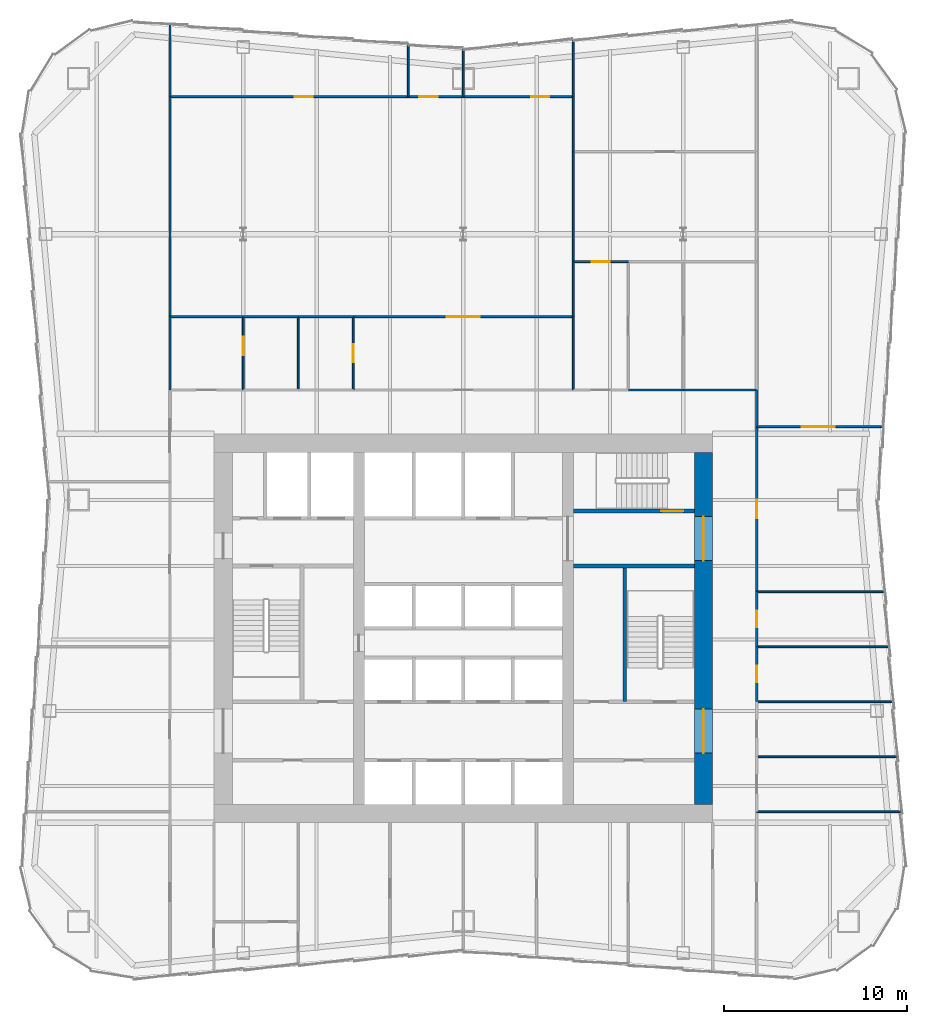
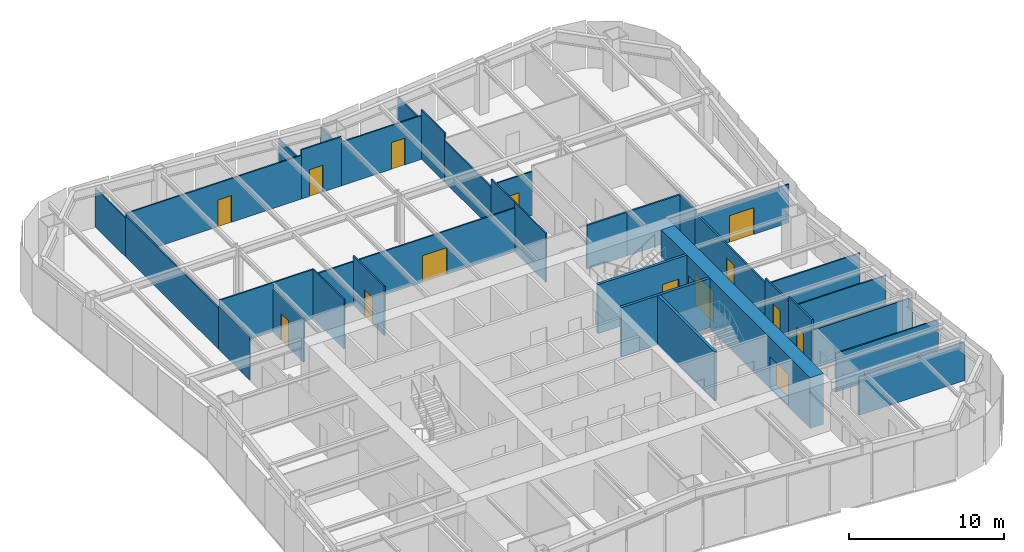
# One storey, part 6 of 8: 37 walls, 14 doors, 14 openings.
"""IFC4 building model written with IfcOpenShell, lengths in metres."""

from ifc_helpers import new_model, si_unit, direction, frame, frame_2d, origin, place, context, subcontext, project, spatial, rectangle, extrude, material, layer, layer_set, type_object, element, fill, save


model = new_model("IFC4")

# Units and contexts
model_context = context("Model", 3, precision=1e-05, world=origin(), true_north=direction((0.0, 1.0)))
body_context = subcontext(model_context, "Body", "Model", "MODEL_VIEW")
ifc_project = project(units=[si_unit("LENGTHUNIT", "METRE"), si_unit("AREAUNIT", "SQUARE_METRE"), si_unit("VOLUMEUNIT", "CUBIC_METRE"), si_unit("PLANEANGLEUNIT", "RADIAN"), si_unit("MASSUNIT", "GRAM", prefix="KILO")], contexts=[model_context])

# Site, building, storey
site_placement = place(None, origin())
site = spatial("IfcSite", under=ifc_project, at=site_placement, CompositionType="ELEMENT")
building_placement = place(site_placement, origin())
building = spatial("IfcBuilding", under=site, at=building_placement, Name="Verdant Reach Tower", CompositionType="ELEMENT")
storey_placement = place(building_placement, frame((0.0, 0.0, 158.0)))
storey = spatial("IfcBuildingStorey", under=building, at=storey_placement, Name="L36", CompositionType="ELEMENT", Elevation=158.0)

# Wall
ifc_material_1 = material(Name="Concrete C40/50", Category="concrete")
ifc_layer_1 = layer(ifc_material_1, 0.199951171875)
ifc_layer_set_1 = layer_set([ifc_layer_1], Name="CO-WALL-STAIR")
wall_type_1 = type_object("IfcWallType", Name="CO-WALL-STAIR", PredefinedType="PARTITIONING", material=ifc_layer_set_1)
wall_1_placement = place(storey_placement, frame((6.0, 31.39990234375, 0.0), z_axis=(0.0, 0.0, 1.0), x_axis=(1.0, 0.0, 0.0)))
element("IfcWall", 1, at=wall_1_placement, inside=storey, type_object=wall_type_1, Name="Stair enclosure wall, L36", PredefinedType="PARTITIONING", context=body_context, shape_type="SweptSolid", body=[
    extrude(rectangle(XDim=6.60009765625, YDim=0.199951171875, at=frame_2d((3.300048828125, 0.0))), origin(), (0.0, 0.0, 1.0), 3.8701171875),
])

# Wall, opening, door
wall_2_placement = place(storey_placement, frame((6.0, 34.39990234375, 0.0), z_axis=(0.0, 0.0, 1.0), x_axis=(1.0, 0.0, 0.0)))
wall_2 = element("IfcWall", 2, at=wall_2_placement, inside=storey, type_object=wall_type_1, Name="Stair enclosure wall, L36", PredefinedType="PARTITIONING", context=body_context, shape_type="SweptSolid", body=[
    extrude(rectangle(XDim=6.60009765625, YDim=0.199951171875, at=frame_2d((3.300048828125, 0.0))), origin(), (0.0, 0.0, 1.0), 3.8701171875),
])
opening_1_placement = place(wall_2_placement, frame((4.800048828125, 0.0, 0.0)))
opening_1 = element("IfcOpeningElement", 3, at=opening_1_placement, cuts=wall_2, Name="Opening SD", PredefinedType="OPENING", context=body_context, shape_type="SweptSolid", body=[
    extrude(rectangle(XDim=1.199951171875, YDim=2.199951171875, at=frame_2d((0.60009765625, 1.10009765625))), frame((0.0, 0.10986328125, 0.0), z_axis=(0.0, -1.0, 0.0), x_axis=(1.0, 0.0, 0.0)), (0.0, 0.0, 1.0), 0.219970703125),
])
ifc_material_2 = material(Name="Steel", Category="steel")
door_type_1 = type_object("IfcDoorType", Name="CO-DOOR-STAIR", OperationType="NOTDEFINED", PredefinedType="DOOR", material=ifc_material_2)
door_1_placement = place(opening_1_placement, origin())
door_1 = element("IfcDoor", 4, at=door_1_placement, inside=storey, type_object=door_type_1, Name="Stair door, L36", OperationType="SINGLE_SWING_RIGHT", OverallHeight=2.199951171875, OverallWidth=1.199951171875, PredefinedType="DOOR", context=body_context, shape_type="SweptSolid", body=[
    extrude(rectangle(XDim=1.199951171875, YDim=2.199951171875, at=frame_2d((0.60009765625, 1.10009765625))), frame((0.0, 0.02490234375, 0.0), z_axis=(0.0, -1.0, 0.0), x_axis=(1.0, 0.0, 0.0)), (0.0, 0.0, 1.0), 0.050048828125),
])
fill(opening_1, door_1)

# Walls
wall_3_placement = place(storey_placement, frame((8.800048828125, 24.0, 0.0), z_axis=(0.0, 0.0, 1.0), x_axis=(0.0, 1.0, 0.0)))
element("IfcWall", 5, at=wall_3_placement, inside=storey, type_object=wall_type_1, Name="Stair enclosure wall, L36", PredefinedType="PARTITIONING", context=body_context, shape_type="SweptSolid", body=[
    extrude(rectangle(XDim=7.39990234375, YDim=0.199951171875, at=frame_2d((3.699951171875, 0.0))), origin(), (0.0, 0.0, 1.0), 3.8701171875),
])
ifc_material_3 = material(Name="Gypsum board on steel studs", Category="steel")
ifc_layer_2 = layer(ifc_material_3, 0.10009765625)
ifc_layer_set_2 = layer_set([ifc_layer_2], Name="FL-W1 Partition 100")
wall_type_2 = type_object("IfcWallType", Name="FL-W1 Partition 100", PredefinedType="PARTITIONING", material=ifc_layer_set_2)
wall_4_placement = place(storey_placement, frame((-16.0, 41.0, 0.0), z_axis=(0.0, 0.0, 1.0), x_axis=(0.0, 1.0, 0.0)))
element("IfcWall", 6, at=wall_4_placement, inside=storey, type_object=wall_type_2, Name="Partition 36.25", PredefinedType="PARTITIONING", context=body_context, shape_type="SweptSolid", body=[
    extrude(rectangle(XDim=4.0, YDim=0.10009765625, at=frame_2d((2.0, 0.0))), origin(), (0.0, 0.0, 1.0), 3.43994140625),
])
wall_5_placement = place(storey_placement, frame((-16.0, 45.0, 0.0), z_axis=(0.0, 0.0, 1.0), x_axis=(0.0, 1.0, 0.0)))
element("IfcWall", 7, at=wall_5_placement, inside=storey, type_object=wall_type_2, Name="Partition 36.26", PredefinedType="PARTITIONING", context=body_context, shape_type="SweptSolid", body=[
    extrude(rectangle(XDim=12.0, YDim=0.10009765625, at=frame_2d((6.0, 0.0))), origin(), (0.0, 0.0, 1.0), 3.239990234375),
])
wall_6_placement = place(storey_placement, frame((-16.0, 57.0, 0.0), z_axis=(0.0, 0.0, 1.0), x_axis=(0.0, 1.0, 0.0)))
element("IfcWall", 8, at=wall_6_placement, inside=storey, type_object=wall_type_2, Name="Partition 36.27", PredefinedType="PARTITIONING", context=body_context, shape_type="SweptSolid", body=[
    extrude(rectangle(XDim=3.913330078125, YDim=0.10009765625, at=frame_2d((1.95654296875, 0.0))), origin(), (0.0, 0.0, 1.0), 3.0400390625),
])
wall_7_placement = place(storey_placement, frame((23.85498046875, 18.0, 0.0), z_axis=(0.0, 0.0, 1.0), x_axis=(-1.0, 0.0, 0.0)))
element("IfcWall", 9, at=wall_7_placement, inside=storey, type_object=wall_type_2, Name="Partition 36.28", PredefinedType="PARTITIONING", context=body_context, shape_type="SweptSolid", body=[
    extrude(rectangle(XDim=7.85498046875, YDim=0.10009765625, at=frame_2d((3.927490234375, 0.0))), origin(), (0.0, 0.0, 1.0), 3.0400390625),
])
wall_8_placement = place(storey_placement, frame((23.6298828125, 21.0, 0.0), z_axis=(0.0, 0.0, 1.0), x_axis=(-1.0, 0.0, 0.0)))
element("IfcWall", 10, at=wall_8_placement, inside=storey, type_object=wall_type_2, Name="Partition 36.29", PredefinedType="PARTITIONING", context=body_context, shape_type="SweptSolid", body=[
    extrude(rectangle(XDim=7.6298828125, YDim=0.10009765625, at=frame_2d((3.81494140625, 0.0))), origin(), (0.0, 0.0, 1.0), 3.0400390625),
])
wall_9_placement = place(storey_placement, frame((23.405029296875, 24.0, 0.0), z_axis=(0.0, 0.0, 1.0), x_axis=(-1.0, 0.0, 0.0)))
element("IfcWall", 11, at=wall_9_placement, inside=storey, type_object=wall_type_2, Name="Partition 36.30", PredefinedType="PARTITIONING", context=body_context, shape_type="SweptSolid", body=[
    extrude(rectangle(XDim=7.405029296875, YDim=0.10009765625, at=frame_2d((3.70263671875, 0.0))), origin(), (0.0, 0.0, 1.0), 3.0400390625),
])
wall_10_placement = place(storey_placement, frame((23.179931640625, 27.0, 0.0), z_axis=(0.0, 0.0, 1.0), x_axis=(-1.0, 0.0, 0.0)))
element("IfcWall", 12, at=wall_10_placement, inside=storey, type_object=wall_type_2, Name="Partition 36.31", PredefinedType="PARTITIONING", context=body_context, shape_type="SweptSolid", body=[
    extrude(rectangle(XDim=7.179931640625, YDim=0.10009765625, at=frame_2d((3.58984375, 0.0))), origin(), (0.0, 0.0, 1.0), 3.0400390625),
])
wall_11_placement = place(storey_placement, frame((22.955078125, 30.0, 0.0), z_axis=(0.0, 0.0, 1.0), x_axis=(-1.0, 0.0, 0.0)))
element("IfcWall", 13, at=wall_11_placement, inside=storey, type_object=wall_type_2, Name="Partition 36.32", PredefinedType="PARTITIONING", context=body_context, shape_type="SweptSolid", body=[
    extrude(rectangle(XDim=6.955078125, YDim=0.10009765625, at=frame_2d((3.4775390625, 0.0))), origin(), (0.0, 0.0, 1.0), 3.0400390625),
])

# Wall, opening, door
wall_12_placement = place(storey_placement, frame((16.0, 39.0, 0.0), z_axis=(0.0, 0.0, 1.0), x_axis=(1.0, 0.0, 0.0)))
wall_12 = element("IfcWall", 14, at=wall_12_placement, inside=storey, type_object=wall_type_2, Name="Partition 36.33", PredefinedType="PARTITIONING", context=body_context, shape_type="SweptSolid", body=[
    extrude(rectangle(XDim=6.8798828125, YDim=0.10009765625, at=frame_2d((3.43994140625, 0.0))), origin(), (0.0, 0.0, 1.0), 3.0400390625),
])
opening_2_placement = place(wall_12_placement, frame((2.474853515625, 0.0, 0.0)))
opening_2 = element("IfcOpeningElement", 15, at=opening_2_placement, cuts=wall_12, Name="Opening D5", PredefinedType="OPENING", context=body_context, shape_type="SweptSolid", body=[
    extrude(rectangle(XDim=1.800048828125, YDim=2.10009765625, at=frame_2d((0.89990234375, 1.050048828125))), frame((0.0, 0.06005859375, 0.0), z_axis=(0.0, -1.0, 0.0), x_axis=(1.0, 0.0, 0.0)), (0.0, 0.0, 1.0), 0.1201171875),
])
ifc_material_4 = material(Name="Painted timber door leaves", Category="wood")
door_type_2 = type_object("IfcDoorType", Name="FL-D5 Double door 1800x2100", OperationType="DOUBLE_DOOR_SINGLE_SWING", PredefinedType="DOOR", material=ifc_material_4)
door_2_placement = place(opening_2_placement, origin())
door_2 = element("IfcDoor", 16, at=door_2_placement, inside=storey, type_object=door_type_2, Name="Door 36-016", OperationType="DOUBLE_DOOR_SINGLE_SWING", OverallHeight=2.10009765625, OverallWidth=1.800048828125, PredefinedType="DOOR", context=body_context, shape_type="SweptSolid", body=[
    extrude(rectangle(XDim=1.800048828125, YDim=2.10009765625, at=frame_2d((0.89990234375, 1.050048828125))), frame((0.0, 0.02490234375, 0.0), z_axis=(0.0, -1.0, 0.0), x_axis=(1.0, 0.0, 0.0)), (0.0, 0.0, 1.0), 0.050048828125),
])
fill(opening_2, door_2)

wall_13_placement = place(storey_placement, frame((-12.0, 45.0, 0.0), z_axis=(0.0, 0.0, 1.0), x_axis=(0.0, -1.0, 0.0)))
wall_13 = element("IfcWall", 17, at=wall_13_placement, inside=storey, type_object=wall_type_2, Name="Partition 36.44", PredefinedType="PARTITIONING", context=body_context, shape_type="SweptSolid", body=[
    extrude(rectangle(XDim=4.0, YDim=0.10009765625, at=frame_2d((2.0, 0.0))), origin(), (0.0, 0.0, 1.0), 3.43994140625),
])
opening_3_placement = place(wall_13_placement, frame((1.10009765625, 0.0, 0.0)))
opening_3 = element("IfcOpeningElement", 18, at=opening_3_placement, cuts=wall_13, Name="Opening D3", PredefinedType="OPENING", context=body_context, shape_type="SweptSolid", body=[
    extrude(rectangle(XDim=1.0, YDim=2.10009765625, at=frame_2d((0.5, 1.050048828125))), frame((0.0, 0.06005859375, 0.0), z_axis=(0.0, -1.0, 0.0), x_axis=(1.0, 0.0, 0.0)), (0.0, 0.0, 1.0), 0.1201171875),
])
ifc_material_5 = material(Name="Painted timber door leaf", Category="wood")
door_type_3 = type_object("IfcDoorType", Name="FL-D3 Door 1000x2100", OperationType="NOTDEFINED", PredefinedType="DOOR", material=ifc_material_5)
door_3_placement = place(opening_3_placement, origin())
door_3 = element("IfcDoor", 19, at=door_3_placement, inside=storey, type_object=door_type_3, Name="Door 36-022", OperationType="SINGLE_SWING_LEFT", OverallHeight=2.10009765625, OverallWidth=1.0, PredefinedType="DOOR", context=body_context, shape_type="SweptSolid", body=[
    extrude(rectangle(XDim=1.0, YDim=2.10009765625, at=frame_2d((0.5, 1.050048828125))), frame((0.0, 0.02490234375, 0.0), z_axis=(0.0, -1.0, 0.0), x_axis=(1.0, 0.0, 0.0)), (0.0, 0.0, 1.0), 0.050048828125),
])
fill(opening_3, door_3)

# Walls
wall_14_placement = place(storey_placement, frame((-11.99609375, 45.0, 0.0), z_axis=(0.0, 0.0, 1.0), x_axis=(-1.0, 0.0, 0.0)))
element("IfcWall", 20, at=wall_14_placement, inside=storey, type_object=wall_type_2, Name="Partition 36.45", PredefinedType="PARTITIONING", context=body_context, shape_type="SweptSolid", body=[
    extrude(rectangle(XDim=4.00390625, YDim=0.10009765625, at=frame_2d((2.001953125, 0.0))), origin(), (0.0, 0.0, 1.0), 3.8701171875),
])
wall_15_placement = place(storey_placement, frame((-9.0, 41.0, 0.0), z_axis=(0.0, 0.0, 1.0), x_axis=(0.0, 1.0, 0.0)))
element("IfcWall", 21, at=wall_15_placement, inside=storey, type_object=wall_type_2, Name="Partition 36.46", PredefinedType="PARTITIONING", context=body_context, shape_type="SweptSolid", body=[
    extrude(rectangle(XDim=4.0, YDim=0.10009765625, at=frame_2d((2.0, 0.0))), origin(), (0.0, 0.0, 1.0), 3.8701171875),
])
wall_16_placement = place(storey_placement, frame((-8.99609375, 45.0, 0.0), z_axis=(0.0, 0.0, 1.0), x_axis=(-1.0, 0.0, 0.0)))
element("IfcWall", 22, at=wall_16_placement, inside=storey, type_object=wall_type_2, Name="Partition 36.47", PredefinedType="PARTITIONING", context=body_context, shape_type="SweptSolid", body=[
    extrude(rectangle(XDim=3.0078125, YDim=0.10009765625, at=frame_2d((1.50390625, 0.0))), origin(), (0.0, 0.0, 1.0), 3.8701171875),
])

# Wall, opening, door
wall_17_placement = place(storey_placement, frame((-6.0, 41.0, 0.0), z_axis=(0.0, 0.0, 1.0), x_axis=(0.0, 1.0, 0.0)))
wall_17 = element("IfcWall", 23, at=wall_17_placement, inside=storey, type_object=wall_type_2, Name="Partition 36.48", PredefinedType="PARTITIONING", context=body_context, shape_type="SweptSolid", body=[
    extrude(rectangle(XDim=4.0, YDim=0.10009765625, at=frame_2d((2.0, 0.0))), origin(), (0.0, 0.0, 1.0), 3.8701171875),
])
opening_4_placement = place(wall_17_placement, frame((1.5, 0.0, 0.0)))
opening_4 = element("IfcOpeningElement", 24, at=opening_4_placement, cuts=wall_17, Name="Opening D3", PredefinedType="OPENING", context=body_context, shape_type="SweptSolid", body=[
    extrude(rectangle(XDim=1.0, YDim=2.10009765625, at=frame_2d((0.5, 1.050048828125))), frame((0.0, 0.06005859375, 0.0), z_axis=(0.0, -1.0, 0.0), x_axis=(1.0, 0.0, 0.0)), (0.0, 0.0, 1.0), 0.1201171875),
])
door_4_placement = place(opening_4_placement, origin())
door_4 = element("IfcDoor", 25, at=door_4_placement, inside=storey, type_object=door_type_3, Name="Door 36-023", OperationType="SINGLE_SWING_LEFT", OverallHeight=2.10009765625, OverallWidth=1.0, PredefinedType="DOOR", context=body_context, shape_type="SweptSolid", body=[
    extrude(rectangle(XDim=1.0, YDim=2.10009765625, at=frame_2d((0.5, 1.050048828125))), frame((0.0, 0.02490234375, 0.0), z_axis=(0.0, -1.0, 0.0), x_axis=(1.0, 0.0, 0.0)), (0.0, 0.0, 1.0), 0.050048828125),
])
fill(opening_4, door_4)

# Wall
wall_18_placement = place(storey_placement, frame((-5.99609375, 45.0, 0.0), z_axis=(0.0, 0.0, 1.0), x_axis=(-1.0, 0.0, 0.0)))
element("IfcWall", 26, at=wall_18_placement, inside=storey, type_object=wall_type_2, Name="Partition 36.49", PredefinedType="PARTITIONING", context=body_context, shape_type="SweptSolid", body=[
    extrude(rectangle(XDim=3.0078125, YDim=0.10009765625, at=frame_2d((1.50390625, 0.0))), origin(), (0.0, 0.0, 1.0), 3.43994140625),
])

# Wall, opening, door
wall_19_placement = place(storey_placement, frame((-6.00390625, 45.0, 0.0), z_axis=(0.0, 0.0, 1.0), x_axis=(1.0, 0.0, 0.0)))
wall_19 = element("IfcWall", 27, at=wall_19_placement, inside=storey, type_object=wall_type_2, Name="Partition 36.50", PredefinedType="PARTITIONING", context=body_context, shape_type="SweptSolid", body=[
    extrude(rectangle(XDim=12.00390625, YDim=0.10009765625, at=frame_2d((6.001953125, 0.0))), origin(), (0.0, 0.0, 1.0), 3.43994140625),
])
opening_5_placement = place(wall_19_placement, frame((5.10205078125, 0.0, 0.0)))
opening_5 = element("IfcOpeningElement", 28, at=opening_5_placement, cuts=wall_19, Name="Opening D5", PredefinedType="OPENING", context=body_context, shape_type="SweptSolid", body=[
    extrude(rectangle(XDim=1.800048828125, YDim=2.10009765625, at=frame_2d((0.89990234375, 1.050048828125))), frame((0.0, 0.06005859375, 0.0), z_axis=(0.0, -1.0, 0.0), x_axis=(1.0, 0.0, 0.0)), (0.0, 0.0, 1.0), 0.1201171875),
])
door_5_placement = place(opening_5_placement, origin())
door_5 = element("IfcDoor", 29, at=door_5_placement, inside=storey, type_object=door_type_2, Name="Door 36-024", OperationType="DOUBLE_DOOR_SINGLE_SWING", OverallHeight=2.10009765625, OverallWidth=1.800048828125, PredefinedType="DOOR", context=body_context, shape_type="SweptSolid", body=[
    extrude(rectangle(XDim=1.800048828125, YDim=2.10009765625, at=frame_2d((0.89990234375, 1.050048828125))), frame((0.0, 0.02490234375, 0.0), z_axis=(0.0, -1.0, 0.0), x_axis=(1.0, 0.0, 0.0)), (0.0, 0.0, 1.0), 0.050048828125),
])
fill(opening_5, door_5)

# Wall
wall_20_placement = place(storey_placement, frame((6.0, 41.0, 0.0), z_axis=(0.0, 0.0, 1.0), x_axis=(0.0, 1.0, 0.0)))
element("IfcWall", 30, at=wall_20_placement, inside=storey, type_object=wall_type_2, Name="Partition 36.51", PredefinedType="PARTITIONING", context=body_context, shape_type="SweptSolid", body=[
    extrude(rectangle(XDim=4.00390625, YDim=0.10009765625, at=frame_2d((2.001953125, 0.0))), origin(), (0.0, 0.0, 1.0), 3.8701171875),
])

# Wall, opening, door
wall_21_placement = place(storey_placement, frame((-16.0, 57.0, 0.0), z_axis=(0.0, 0.0, 1.0), x_axis=(1.0, 0.0, 0.0)))
wall_21 = element("IfcWall", 31, at=wall_21_placement, inside=storey, type_object=wall_type_2, Name="Partition 36.52", PredefinedType="PARTITIONING", context=body_context, shape_type="SweptSolid", body=[
    extrude(rectangle(XDim=13.0, YDim=0.10009765625, at=frame_2d((6.5, 0.0))), origin(), (0.0, 0.0, 1.0), 3.43994140625),
])
opening_6_placement = place(wall_21_placement, frame((6.800048828125, 0.0, 0.0)))
opening_6 = element("IfcOpeningElement", 32, at=opening_6_placement, cuts=wall_21, Name="Opening D3", PredefinedType="OPENING", context=body_context, shape_type="SweptSolid", body=[
    extrude(rectangle(XDim=1.0, YDim=2.10009765625, at=frame_2d((0.5, 1.050048828125))), frame((0.0, 0.06005859375, 0.0), z_axis=(0.0, -1.0, 0.0), x_axis=(1.0, 0.0, 0.0)), (0.0, 0.0, 1.0), 0.1201171875),
])
door_6_placement = place(opening_6_placement, origin())
door_6 = element("IfcDoor", 33, at=door_6_placement, inside=storey, type_object=door_type_3, Name="Door 36-025", OperationType="SINGLE_SWING_RIGHT", OverallHeight=2.10009765625, OverallWidth=1.0, PredefinedType="DOOR", context=body_context, shape_type="SweptSolid", body=[
    extrude(rectangle(XDim=1.0, YDim=2.10009765625, at=frame_2d((0.5, 1.050048828125))), frame((0.0, 0.02490234375, 0.0), z_axis=(0.0, -1.0, 0.0), x_axis=(1.0, 0.0, 0.0)), (0.0, 0.0, 1.0), 0.050048828125),
])
fill(opening_6, door_6)

wall_22_placement = place(storey_placement, frame((-3.0, 57.0, 0.0), z_axis=(0.0, 0.0, 1.0), x_axis=(1.0, 0.0, 0.0)))
wall_22 = element("IfcWall", 34, at=wall_22_placement, inside=storey, type_object=wall_type_2, Name="Partition 36.53", PredefinedType="PARTITIONING", context=body_context, shape_type="SweptSolid", body=[
    extrude(rectangle(XDim=3.0, YDim=0.10009765625, at=frame_2d((1.5, 0.0))), origin(), (0.0, 0.0, 1.0), 3.8701171875),
])
opening_7_placement = place(wall_22_placement, frame((0.60009765625, 0.0, 0.0)))
opening_7 = element("IfcOpeningElement", 35, at=opening_7_placement, cuts=wall_22, Name="Opening D3", PredefinedType="OPENING", context=body_context, shape_type="SweptSolid", body=[
    extrude(rectangle(XDim=1.0, YDim=2.10009765625, at=frame_2d((0.5, 1.050048828125))), frame((0.0, 0.06005859375, 0.0), z_axis=(0.0, -1.0, 0.0), x_axis=(1.0, 0.0, 0.0)), (0.0, 0.0, 1.0), 0.1201171875),
])
door_7_placement = place(opening_7_placement, origin())
door_7 = element("IfcDoor", 36, at=door_7_placement, inside=storey, type_object=door_type_3, Name="Door 36-026", OperationType="SINGLE_SWING_LEFT", OverallHeight=2.10009765625, OverallWidth=1.0, PredefinedType="DOOR", context=body_context, shape_type="SweptSolid", body=[
    extrude(rectangle(XDim=1.0, YDim=2.10009765625, at=frame_2d((0.5, 1.050048828125))), frame((0.0, 0.02490234375, 0.0), z_axis=(0.0, -1.0, 0.0), x_axis=(1.0, 0.0, 0.0)), (0.0, 0.0, 1.0), 0.050048828125),
])
fill(opening_7, door_7)

wall_23_placement = place(storey_placement, frame((0.0, 57.0, 0.0), z_axis=(0.0, 0.0, 1.0), x_axis=(1.0, 0.0, 0.0)))
wall_23 = element("IfcWall", 37, at=wall_23_placement, inside=storey, type_object=wall_type_2, Name="Partition 36.54", PredefinedType="PARTITIONING", context=body_context, shape_type="SweptSolid", body=[
    extrude(rectangle(XDim=6.0, YDim=0.10009765625, at=frame_2d((3.0, 0.0))), origin(), (0.0, 0.0, 1.0), 3.43994140625),
])
opening_8_placement = place(wall_23_placement, frame((3.699951171875, 0.0, 0.0)))
opening_8 = element("IfcOpeningElement", 38, at=opening_8_placement, cuts=wall_23, Name="Opening D3", PredefinedType="OPENING", context=body_context, shape_type="SweptSolid", body=[
    extrude(rectangle(XDim=1.0, YDim=2.10009765625, at=frame_2d((0.5, 1.050048828125))), frame((0.0, 0.06005859375, 0.0), z_axis=(0.0, -1.0, 0.0), x_axis=(1.0, 0.0, 0.0)), (0.0, 0.0, 1.0), 0.1201171875),
])
door_8_placement = place(opening_8_placement, origin())
door_8 = element("IfcDoor", 39, at=door_8_placement, inside=storey, type_object=door_type_3, Name="Door 36-027", OperationType="SINGLE_SWING_RIGHT", OverallHeight=2.10009765625, OverallWidth=1.0, PredefinedType="DOOR", context=body_context, shape_type="SweptSolid", body=[
    extrude(rectangle(XDim=1.0, YDim=2.10009765625, at=frame_2d((0.5, 1.050048828125))), frame((0.0, 0.02490234375, 0.0), z_axis=(0.0, -1.0, 0.0), x_axis=(1.0, 0.0, 0.0)), (0.0, 0.0, 1.0), 0.050048828125),
])
fill(opening_8, door_8)

# Walls
wall_24_placement = place(storey_placement, frame((6.0, 44.99609375, 0.0), z_axis=(0.0, 0.0, 1.0), x_axis=(0.0, 1.0, 0.0)))
element("IfcWall", 40, at=wall_24_placement, inside=storey, type_object=wall_type_2, Name="Partition 36.55", PredefinedType="PARTITIONING", context=body_context, shape_type="SweptSolid", body=[
    extrude(rectangle(XDim=3.00390625, YDim=0.10009765625, at=frame_2d((1.501953125, 0.0))), origin(), (0.0, 0.0, 1.0), 3.8701171875),
])
wall_25_placement = place(storey_placement, frame((6.0, 48.0, 0.0), z_axis=(0.0, 0.0, 1.0), x_axis=(0.0, 1.0, 0.0)))
element("IfcWall", 41, at=wall_25_placement, inside=storey, type_object=wall_type_2, Name="Partition 36.56", PredefinedType="PARTITIONING", context=body_context, shape_type="SweptSolid", body=[
    extrude(rectangle(XDim=6.0, YDim=0.10009765625, at=frame_2d((3.0, 0.0))), origin(), (0.0, 0.0, 1.0), 3.239990234375),
])
wall_26_placement = place(storey_placement, frame((6.0, 54.0, 0.0), z_axis=(0.0, 0.0, 1.0), x_axis=(0.0, 1.0, 0.0)))
element("IfcWall", 42, at=wall_26_placement, inside=storey, type_object=wall_type_2, Name="Partition 36.57", PredefinedType="PARTITIONING", context=body_context, shape_type="SweptSolid", body=[
    extrude(rectangle(XDim=3.00390625, YDim=0.10009765625, at=frame_2d((1.501953125, 0.0))), origin(), (0.0, 0.0, 1.0), 3.8701171875),
])
wall_27_placement = place(storey_placement, frame((-3.0, 57.0, 0.0), z_axis=(0.0, 0.0, 1.0), x_axis=(0.0, 1.0, 0.0)))
element("IfcWall", 43, at=wall_27_placement, inside=storey, type_object=wall_type_2, Name="Partition 36.58", PredefinedType="PARTITIONING", context=body_context, shape_type="SweptSolid", body=[
    extrude(rectangle(XDim=2.830078125, YDim=0.10009765625, at=frame_2d((1.4150390625, 0.0))), origin(), (0.0, 0.0, 1.0), 3.0400390625),
])
wall_28_placement = place(storey_placement, frame((0.0, 57.0, 0.0), z_axis=(0.0, 0.0, 1.0), x_axis=(0.0, 1.0, 0.0)))
element("IfcWall", 44, at=wall_28_placement, inside=storey, type_object=wall_type_2, Name="Partition 36.59", PredefinedType="PARTITIONING", context=body_context, shape_type="SweptSolid", body=[
    extrude(rectangle(XDim=2.580078125, YDim=0.10009765625, at=frame_2d((1.2900390625, 0.0))), origin(), (0.0, 0.0, 1.0), 3.0400390625),
])
wall_29_placement = place(storey_placement, frame((6.0, 56.99609375, 0.0), z_axis=(0.0, 0.0, 1.0), x_axis=(0.0, 1.0, 0.0)))
element("IfcWall", 45, at=wall_29_placement, inside=storey, type_object=wall_type_2, Name="Partition 36.60", PredefinedType="PARTITIONING", context=body_context, shape_type="SweptSolid", body=[
    extrude(rectangle(XDim=3.083984375, YDim=0.10009765625, at=frame_2d((1.5419921875, 0.0))), origin(), (0.0, 0.0, 1.0), 3.0400390625),
])

# Wall, opening, door
wall_30_placement = place(storey_placement, frame((6.0, 48.0, 0.0), z_axis=(0.0, 0.0, 1.0), x_axis=(1.0, 0.0, 0.0)))
wall_30 = element("IfcWall", 46, at=wall_30_placement, inside=storey, type_object=wall_type_2, Name="Partition 36.62", PredefinedType="PARTITIONING", context=body_context, shape_type="SweptSolid", body=[
    extrude(rectangle(XDim=3.00390625, YDim=0.10009765625, at=frame_2d((1.501953125, 0.0))), origin(), (0.0, 0.0, 1.0), 3.43994140625),
])
opening_9_placement = place(wall_30_placement, frame((1.001953125, 0.0, 0.0)))
opening_9 = element("IfcOpeningElement", 47, at=opening_9_placement, cuts=wall_30, Name="Opening D3", PredefinedType="OPENING", context=body_context, shape_type="SweptSolid", body=[
    extrude(rectangle(XDim=1.0, YDim=2.10009765625, at=frame_2d((0.5, 1.050048828125))), frame((0.0, 0.06005859375, 0.0), z_axis=(0.0, -1.0, 0.0), x_axis=(1.0, 0.0, 0.0)), (0.0, 0.0, 1.0), 0.1201171875),
])
door_9_placement = place(opening_9_placement, origin())
door_9 = element("IfcDoor", 48, at=door_9_placement, inside=storey, type_object=door_type_3, Name="Door 36-029", OperationType="SINGLE_SWING_LEFT", OverallHeight=2.10009765625, OverallWidth=1.0, PredefinedType="DOOR", context=body_context, shape_type="SweptSolid", body=[
    extrude(rectangle(XDim=1.0, YDim=2.10009765625, at=frame_2d((0.5, 1.050048828125))), frame((0.0, 0.02490234375, 0.0), z_axis=(0.0, -1.0, 0.0), x_axis=(1.0, 0.0, 0.0)), (0.0, 0.0, 1.0), 0.050048828125),
])
fill(opening_9, door_9)

ifc_material_6 = material(Name="Gypsum board on steel studs, fire rated", Category="steel")
ifc_layer_3 = layer(ifc_material_6, 0.125)
ifc_layer_set_3 = layer_set([ifc_layer_3], Name="FL-W2 Corridor wall 125")
wall_type_3 = type_object("IfcWallType", Name="FL-W2 Corridor wall 125", PredefinedType="PARTITIONING", material=ifc_layer_set_3)
wall_31_placement = place(storey_placement, frame((16.0, 27.0, 0.0), z_axis=(0.0, 0.0, 1.0), x_axis=(0.0, -1.0, 0.0)))
wall_31 = element("IfcWall", 49, at=wall_31_placement, inside=storey, type_object=wall_type_3, Name="Partition 36.08", PredefinedType="PARTITIONING", context=body_context, shape_type="SweptSolid", body=[
    extrude(rectangle(XDim=3.0, YDim=0.125, at=frame_2d((1.5, 0.0))), origin(), (0.0, 0.0, 1.0), 3.8701171875),
])
opening_10_placement = place(wall_31_placement, frame((1.050048828125, 0.0, 0.0)))
opening_10 = element("IfcOpeningElement", 50, at=opening_10_placement, cuts=wall_31, Name="Opening D1", PredefinedType="OPENING", context=body_context, shape_type="SweptSolid", body=[
    extrude(rectangle(XDim=0.89990234375, YDim=2.10009765625, at=frame_2d((0.449951171875, 1.050048828125))), frame((0.0, 0.072509765625, 0.0), z_axis=(0.0, -1.0, 0.0), x_axis=(1.0, 0.0, 0.0)), (0.0, 0.0, 1.0), 0.14501953125),
])
door_type_4 = type_object("IfcDoorType", Name="FL-D1 Door 900x2100", OperationType="NOTDEFINED", PredefinedType="DOOR", material=ifc_material_5)
door_10_placement = place(opening_10_placement, origin())
door_10 = element("IfcDoor", 51, at=door_10_placement, inside=storey, type_object=door_type_4, Name="Door 36-008", OperationType="SINGLE_SWING_RIGHT", OverallHeight=2.10009765625, OverallWidth=0.89990234375, PredefinedType="DOOR", context=body_context, shape_type="SweptSolid", body=[
    extrude(rectangle(XDim=0.89990234375, YDim=2.10009765625, at=frame_2d((0.449951171875, 1.050048828125))), frame((0.0, 0.02490234375, 0.0), z_axis=(0.0, -1.0, 0.0), x_axis=(1.0, 0.0, 0.0)), (0.0, 0.0, 1.0), 0.050048828125),
])
fill(opening_10, door_10)

wall_32_placement = place(storey_placement, frame((16.0, 30.0, 0.0), z_axis=(0.0, 0.0, 1.0), x_axis=(0.0, -1.0, 0.0)))
wall_32 = element("IfcWall", 52, at=wall_32_placement, inside=storey, type_object=wall_type_3, Name="Partition 36.09", PredefinedType="PARTITIONING", context=body_context, shape_type="SweptSolid", body=[
    extrude(rectangle(XDim=3.0, YDim=0.125, at=frame_2d((1.5, 0.0))), origin(), (0.0, 0.0, 1.0), 3.47998046875),
])
opening_11_placement = place(wall_32_placement, frame((1.050048828125, 0.0, 0.0)))
opening_11 = element("IfcOpeningElement", 53, at=opening_11_placement, cuts=wall_32, Name="Opening D1", PredefinedType="OPENING", context=body_context, shape_type="SweptSolid", body=[
    extrude(rectangle(XDim=0.89990234375, YDim=2.10009765625, at=frame_2d((0.449951171875, 1.050048828125))), frame((0.0, 0.072509765625, 0.0), z_axis=(0.0, -1.0, 0.0), x_axis=(1.0, 0.0, 0.0)), (0.0, 0.0, 1.0), 0.14501953125),
])
door_11_placement = place(opening_11_placement, origin())
door_11 = element("IfcDoor", 54, at=door_11_placement, inside=storey, type_object=door_type_4, Name="Door 36-009", OperationType="SINGLE_SWING_LEFT", OverallHeight=2.10009765625, OverallWidth=0.89990234375, PredefinedType="DOOR", context=body_context, shape_type="SweptSolid", body=[
    extrude(rectangle(XDim=0.89990234375, YDim=2.10009765625, at=frame_2d((0.449951171875, 1.050048828125))), frame((0.0, 0.02490234375, 0.0), z_axis=(0.0, -1.0, 0.0), x_axis=(1.0, 0.0, 0.0)), (0.0, 0.0, 1.0), 0.050048828125),
])
fill(opening_11, door_11)

wall_33_placement = place(storey_placement, frame((16.0, 39.0, 0.0), z_axis=(0.0, 0.0, 1.0), x_axis=(0.0, -1.0, 0.0)))
wall_33 = element("IfcWall", 55, at=wall_33_placement, inside=storey, type_object=wall_type_3, Name="Partition 36.10", PredefinedType="PARTITIONING", context=body_context, shape_type="SweptSolid", body=[
    extrude(rectangle(XDim=9.0, YDim=0.125, at=frame_2d((4.5, 0.0))), origin(), (0.0, 0.0, 1.0), 3.139892578125),
])
opening_12_placement = place(wall_33_placement, frame((4.0, 0.0, 0.0)))
opening_12 = element("IfcOpeningElement", 56, at=opening_12_placement, cuts=wall_33, Name="Opening D2", PredefinedType="OPENING", context=body_context, shape_type="SweptSolid", body=[
    extrude(rectangle(XDim=1.0, YDim=2.10009765625, at=frame_2d((0.5, 1.050048828125))), frame((0.0, 0.072509765625, 0.0), z_axis=(0.0, -1.0, 0.0), x_axis=(1.0, 0.0, 0.0)), (0.0, 0.0, 1.0), 0.14501953125),
])
ifc_material_7 = material(Name="Timber door leaf, fire rated", Category="wood")
door_type_5 = type_object("IfcDoorType", Name="FL-D2 Entrance door 1000x2100 FD30", OperationType="NOTDEFINED", PredefinedType="DOOR", material=ifc_material_7)
door_12_placement = place(opening_12_placement, origin())
door_12 = element("IfcDoor", 57, at=door_12_placement, inside=storey, type_object=door_type_5, Name="Door 36-010", OperationType="SINGLE_SWING_RIGHT", OverallHeight=2.10009765625, OverallWidth=1.0, PredefinedType="DOOR", context=body_context, shape_type="SweptSolid", body=[
    extrude(rectangle(XDim=1.0, YDim=2.10009765625, at=frame_2d((0.5, 1.050048828125))), frame((0.0, 0.02490234375, 0.0), z_axis=(0.0, -1.0, 0.0), x_axis=(1.0, 0.0, 0.0)), (0.0, 0.0, 1.0), 0.050048828125),
])
fill(opening_12, door_12)

# Walls
wall_34_placement = place(storey_placement, frame((16.0, 39.0, 0.0), z_axis=(0.0, 0.0, 1.0), x_axis=(0.0, 1.0, 0.0)))
element("IfcWall", 58, at=wall_34_placement, inside=storey, type_object=wall_type_3, Name="Partition 36.11", PredefinedType="PARTITIONING", context=body_context, shape_type="SweptSolid", body=[
    extrude(rectangle(XDim=2.00390625, YDim=0.125, at=frame_2d((1.001953125, 0.0))), origin(), (0.0, 0.0, 1.0), 3.43994140625),
])
wall_35_placement = place(storey_placement, frame((12.0, 41.0, 0.0), z_axis=(0.0, 0.0, 1.0), x_axis=(-1.0, 0.0, 0.0)))
element("IfcWall", 59, at=wall_35_placement, inside=storey, type_object=wall_type_3, Name="Partition 36.20", PredefinedType="PARTITIONING", context=body_context, shape_type="SweptSolid", body=[
    extrude(rectangle(XDim=3.0, YDim=0.125, at=frame_2d((1.5, 0.0))), origin(), (0.0, 0.0, 1.0), 3.43994140625),
])
wall_36_placement = place(storey_placement, frame((16.0, 41.0, 0.0), z_axis=(0.0, 0.0, 1.0), x_axis=(-1.0, 0.0, 0.0)))
element("IfcWall", 60, at=wall_36_placement, inside=storey, type_object=wall_type_3, Name="Partition 36.21", PredefinedType="PARTITIONING", context=body_context, shape_type="SweptSolid", body=[
    extrude(rectangle(XDim=4.0, YDim=0.125, at=frame_2d((2.0, 0.0))), origin(), (0.0, 0.0, 1.0), 3.43994140625),
])

# Wall, openings, doors
ifc_material_8 = material(Name="Concrete C70/85", Category="concrete")
ifc_layer_4 = layer(ifc_material_8, 1.0)
ifc_layer_set_4 = layer_set([ifc_layer_4], Name="ST-CORE-WALL-1000")
wall_type_4 = type_object("IfcWallType", Name="ST-CORE-WALL-1000", PredefinedType="SHEAR", material=ifc_layer_set_4)
wall_37_placement = place(storey_placement, frame((13.10009765625, 18.39990234375, -0.1298828125), z_axis=(0.0, 0.0, 1.0), x_axis=(0.0, 1.0, 0.0)))
wall_37 = element("IfcWall", 61, at=wall_37_placement, inside=storey, type_object=wall_type_4, Name="Core wall E, L36", PredefinedType="SHEAR", context=body_context, shape_type="SweptSolid", body=[
    extrude(rectangle(XDim=19.2001953125, YDim=1.0, at=frame_2d((9.60009765625, 0.0))), origin(), (0.0, 0.0, 1.0), 4.0),
])
opening_13_placement = place(wall_37_placement, frame((2.800048828125, 0.0, 0.1298828125)))
opening_13 = element("IfcOpeningElement", 62, at=opening_13_placement, cuts=wall_37, Name="Opening LB", PredefinedType="OPENING", context=body_context, shape_type="SweptSolid", body=[
    extrude(rectangle(XDim=2.39990234375, YDim=2.39990234375, at=frame_2d((1.199951171875, 1.199951171875))), frame((0.0, 0.510009765625, 0.0), z_axis=(0.0, -1.0, 0.0), x_axis=(1.0, 0.0, 0.0)), (0.0, 0.0, 1.0), 1.02001953125),
])
opening_14_placement = place(wall_37_placement, frame((13.300048828125, 0.0, 0.1298828125)))
opening_14 = element("IfcOpeningElement", 63, at=opening_14_placement, cuts=wall_37, Name="Opening LB", PredefinedType="OPENING", context=body_context, shape_type="SweptSolid", body=[
    extrude(rectangle(XDim=2.39990234375, YDim=2.39990234375, at=frame_2d((1.199951171875, 1.199951171875))), frame((0.0, 0.510009765625, 0.0), z_axis=(0.0, -1.0, 0.0), x_axis=(1.0, 0.0, 0.0)), (0.0, 0.0, 1.0), 1.02001953125),
])
ifc_material_9 = material(Name="Glass and steel", Category="steel")
door_type_6 = type_object("IfcDoorType", Name="CO-DOOR-LOBBY", OperationType="DOUBLE_DOOR_SINGLE_SWING", PredefinedType="DOOR", material=ifc_material_9)
door_13_placement = place(opening_13_placement, origin())
door_13 = element("IfcDoor", 64, at=door_13_placement, inside=storey, type_object=door_type_6, Name="Core entrance door, L36", OperationType="DOUBLE_DOOR_SINGLE_SWING", OverallHeight=2.39990234375, OverallWidth=2.39990234375, PredefinedType="DOOR", context=body_context, shape_type="SweptSolid", body=[
    extrude(rectangle(XDim=2.39990234375, YDim=2.39990234375, at=frame_2d((1.199951171875, 1.199951171875))), frame((0.0, 0.02490234375, 0.0), z_axis=(0.0, -1.0, 0.0), x_axis=(1.0, 0.0, 0.0)), (0.0, 0.0, 1.0), 0.050048828125),
])
fill(opening_13, door_13)
door_14_placement = place(opening_14_placement, origin())
door_14 = element("IfcDoor", 65, at=door_14_placement, inside=storey, type_object=door_type_6, Name="Core entrance door, L36", OperationType="DOUBLE_DOOR_SINGLE_SWING", OverallHeight=2.39990234375, OverallWidth=2.39990234375, PredefinedType="DOOR", context=body_context, shape_type="SweptSolid", body=[
    extrude(rectangle(XDim=2.39990234375, YDim=2.39990234375, at=frame_2d((1.199951171875, 1.199951171875))), frame((0.0, 0.02490234375, 0.0), z_axis=(0.0, -1.0, 0.0), x_axis=(1.0, 0.0, 0.0)), (0.0, 0.0, 1.0), 0.050048828125),
])
fill(opening_14, door_14)

save(model, "model.ifc")
